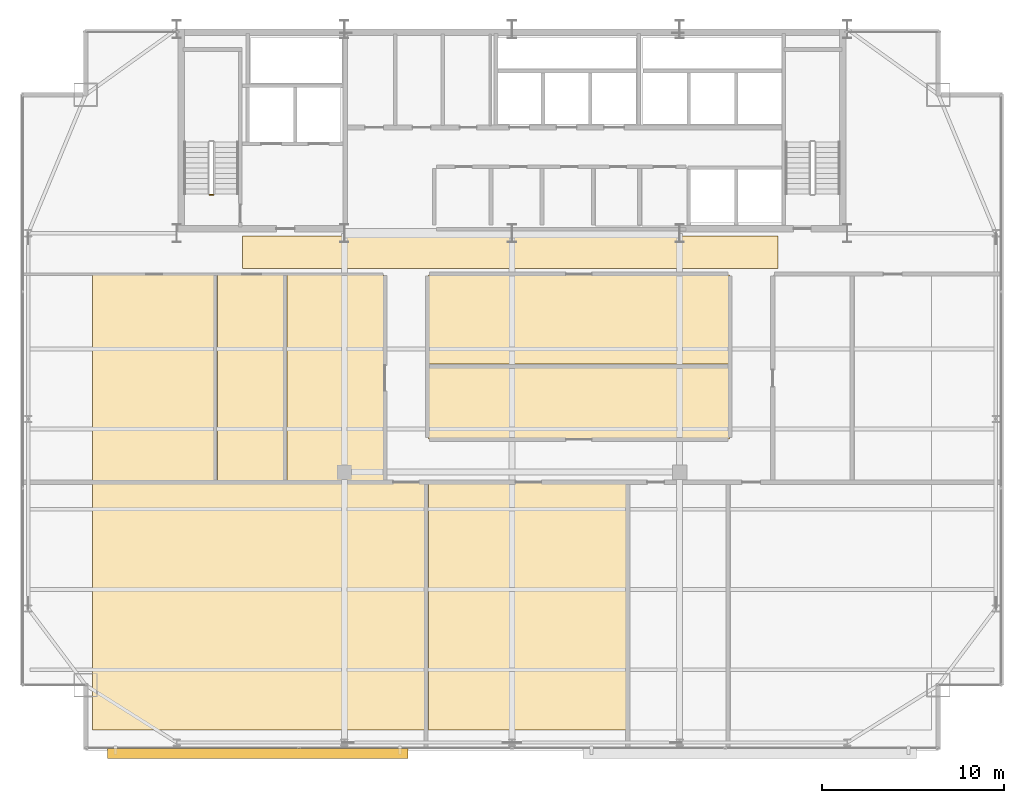
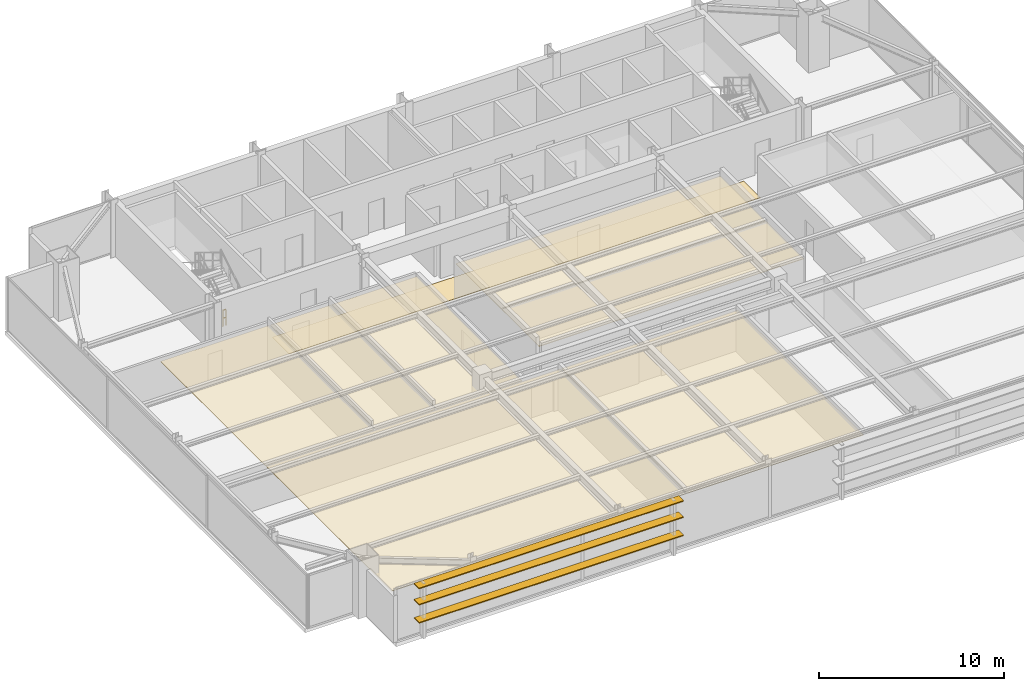
# One storey, part 28 of 29: 8 coverings, 3 shading devices, 1 railing.
"""IFC4 building model written with IfcOpenShell, lengths in metres."""

from ifc_helpers import new_model, si_unit, direction, frame, origin, origin_2d, place, context, subcontext, project, spatial, polyline, rectangle, outline, extrude, source, transform, mapped, material, layer, layer_set, type_object, type_shapes, element, save


model = new_model("IFC4")

# Units and contexts
model_context = context("Model", 3, precision=1e-05, world=origin(), true_north=direction((0.0, 1.0)))
body_context = subcontext(model_context, "Body", "Model", "MODEL_VIEW")
ifc_project = project(units=[si_unit("LENGTHUNIT", "METRE"), si_unit("AREAUNIT", "SQUARE_METRE"), si_unit("VOLUMEUNIT", "CUBIC_METRE"), si_unit("PLANEANGLEUNIT", "RADIAN"), si_unit("MASSUNIT", "GRAM", prefix="KILO")], contexts=[model_context])

# Site, building, storey
site_placement = place(None, origin())
site = spatial("IfcSite", under=ifc_project, at=site_placement, CompositionType="ELEMENT")
building_placement = place(site_placement, origin())
building = spatial("IfcBuilding", under=site, at=building_placement, Name="Varnel Quay Broadcast Tower", CompositionType="ELEMENT")
storey_placement = place(building_placement, frame((0.0, 0.0, 187.60009765625)))
storey = spatial("IfcBuildingStorey", under=building, at=storey_placement, Name="L46", CompositionType="ELEMENT", Elevation=187.60009765625)

# Coverings
ifc_material_1 = material(Name="Micro-Perforated Acoustic Ceiling Tile")
ifc_layer_1 = layer(ifc_material_1, 0.0400390625, Name="Micro-Perforated Acoustic Ceiling Tile")
ifc_layer_set_1 = layer_set([ifc_layer_1], Name="Micro-Perforated Acoustic Ceiling Tile")
covering_type_1 = type_object("IfcCoveringType", Name="Cov_AcousticCeiling", PredefinedType="CEILING", material=ifc_layer_set_1)
covering_1_placement = place(storey_placement, frame((0.0, 0.0, 2.579833984375)))
element("IfcCovering", 1, at=covering_1_placement, inside=storey, type_object=covering_type_1, Name="L46 Foley Sound Studio 1 Acoustic Ceiling", PredefinedType="CEILING", context=body_context, shape_type="SweptSolid", body=[
    extrude(outline(polyline([(10.985107421875, 8.324951171875), (29.3349609375, 8.324951171875), (29.3349609375, 21.89501953125), (10.985107421875, 21.89501953125), (10.985107421875, 8.324951171875)])), origin(), (0.0, 0.0, 1.0), 0.0400390625),
])
covering_2_placement = place(storey_placement, frame((0.0, 0.0, 2.579833984375)))
element("IfcCovering", 2, at=covering_2_placement, inside=storey, type_object=covering_type_1, Name="L46 Voice Booth 2 Acoustic Ceiling", PredefinedType="CEILING", context=body_context, shape_type="SweptSolid", body=[
    extrude(outline(polyline([(29.405029296875, 8.324951171875), (40.4150390625, 8.324951171875), (40.4150390625, 21.89501953125), (29.405029296875, 21.89501953125), (29.405029296875, 8.324951171875)])), origin(), (0.0, 0.0, 1.0), 0.0400390625),
])
covering_3_placement = place(storey_placement, frame((0.0, 0.0, 2.579833984375)))
element("IfcCovering", 3, at=covering_3_placement, inside=storey, type_object=covering_type_1, Name="L46 Pantry Niche 5 Acoustic Ceiling", PredefinedType="CEILING", context=body_context, shape_type="SweptSolid", body=[
    extrude(outline(polyline([(10.985107421875, 21.965087890625), (17.764892578125, 21.965087890625), (17.764892578125, 33.31494140625), (10.985107421875, 33.31494140625), (10.985107421875, 21.965087890625)])), origin(), (0.0, 0.0, 1.0), 0.0400390625),
])
covering_4_placement = place(storey_placement, frame((0.0, 0.0, 2.579833984375)))
element("IfcCovering", 4, at=covering_4_placement, inside=storey, type_object=covering_type_1, Name="L46 Broadcast Seminar Room 6 Acoustic Ceiling", PredefinedType="CEILING", context=body_context, shape_type="SweptSolid", body=[
    extrude(outline(polyline([(17.8349609375, 21.965087890625), (21.594970703125, 21.965087890625), (21.594970703125, 33.31494140625), (17.8349609375, 33.31494140625), (17.8349609375, 21.965087890625)])), origin(), (0.0, 0.0, 1.0), 0.0400390625),
])
covering_5_placement = place(storey_placement, frame((0.0, 0.0, 2.579833984375)))
element("IfcCovering", 5, at=covering_5_placement, inside=storey, type_object=covering_type_1, Name="L46 Podcast Recording Studio 7 Acoustic Ceiling", PredefinedType="CEILING", context=body_context, shape_type="SweptSolid", body=[
    extrude(outline(polyline([(21.6650390625, 21.965087890625), (26.985107421875, 21.965087890625), (26.985107421875, 33.31494140625), (21.6650390625, 33.31494140625), (21.6650390625, 21.965087890625)])), origin(), (0.0, 0.0, 1.0), 0.0400390625),
])
covering_6_placement = place(storey_placement, frame((0.0, 0.0, 2.579833984375)))
element("IfcCovering", 6, at=covering_6_placement, inside=storey, type_object=covering_type_1, Name="L46 Foley Sound Studio 8 Acoustic Ceiling", PredefinedType="CEILING", context=body_context, shape_type="SweptSolid", body=[
    extrude(outline(polyline([(29.405029296875, 24.31494140625), (45.925048828125, 24.31494140625), (45.925048828125, 28.344970703125), (29.405029296875, 28.344970703125), (29.405029296875, 24.31494140625)])), origin(), (0.0, 0.0, 1.0), 0.0400390625),
])
covering_7_placement = place(storey_placement, frame((0.0, 0.0, 2.579833984375)))
element("IfcCovering", 7, at=covering_7_placement, inside=storey, type_object=covering_type_1, Name="L46 Voice Booth 9 Acoustic Ceiling", PredefinedType="CEILING", context=body_context, shape_type="SweptSolid", body=[
    extrude(outline(polyline([(29.405029296875, 28.4150390625), (45.925048828125, 28.4150390625), (45.925048828125, 33.31494140625), (29.405029296875, 33.31494140625), (29.405029296875, 28.4150390625)])), origin(), (0.0, 0.0, 1.0), 0.0400390625),
])
ifc_material_2 = material(Name="Polished Terrazzo & Broadcast Raised Flooring")
ifc_layer_2 = layer(ifc_material_2, 0.0400390625, Name="Polished Terrazzo & Broadcast Raised Flooring")
ifc_layer_set_2 = layer_set([ifc_layer_2], Name="Polished Terrazzo & Broadcast Raised Flooring")
covering_type_2 = type_object("IfcCoveringType", Name="Cov_TerrazzoFloor", PredefinedType="FLOORING", material=ifc_layer_set_2)
covering_8_placement = place(storey_placement, origin())
element("IfcCovering", 8, at=covering_8_placement, inside=storey, type_object=covering_type_2, Name="L46 Corridor Terrazzo Flooring", PredefinedType="FLOORING", context=body_context, shape_type="SweptSolid", body=[
    extrude(outline(polyline([(19.199951171875, 33.64990234375), (48.60009765625, 33.64990234375), (48.60009765625, 35.449951171875), (19.199951171875, 35.449951171875), (19.199951171875, 33.64990234375)])), origin(), (0.0, 0.0, 1.0), 0.039794921875),
])

# Railing
ifc_material_3 = material(Name="Painted Steel Guard and Handrail CSA G40.21 350W", Category="steel")
railing_type = type_object("IfcRailingType", Name="Rail_StairGuard1100", PredefinedType="GUARDRAIL", material=ifc_material_3)
railing_placement = place(storey_placement, frame((17.60009765625, 37.699951171875, 0.0)))
element("IfcRailing", 9, at=railing_placement, inside=storey, type_object=railing_type, Name="L46 ST-01 stair guard 4", PredefinedType="GUARDRAIL", context=body_context, shape_type="SweptSolid", body=[
    extrude(rectangle(XDim=0.048095703125, YDim=0.048095703125, at=origin_2d()), frame((0.0, 0.0, 1.076171875), z_axis=(-1.0, 0.0, 0.0), x_axis=(0.0, -1.0, 0.0)), (0.0, 0.0, 1.0), 0.2001953125),
    extrude(rectangle(XDim=0.048095703125, YDim=0.048095703125, at=origin_2d()), frame((0.0, 0.0, 0.550048828125), z_axis=(-1.0, 0.0, 0.0), x_axis=(0.0, -1.0, 0.0)), (0.0, 0.0, 1.0), 0.2001953125),
    extrude(rectangle(XDim=0.0419921875, YDim=0.0419921875, at=origin_2d()), origin(), (0.0, 0.0, 1.0), 1.052001953125),
    extrude(rectangle(XDim=0.0419921875, YDim=0.0419921875, at=origin_2d()), frame((-0.2001953125, 0.0, 0.0)), (0.0, 0.0, 1.0), 1.052001953125),
])

# Shading devices
ifc_material_4 = material(Name="Bronze-Terracotta Extruded Ceramic Blade", Category="masonry")
ifc_layer_3 = layer(ifc_material_4, 0.06494140625, Name="Bronze-Terracotta Extruded Ceramic Blade")
ifc_layer_set_3 = layer_set([ifc_layer_3], Name="Bronze-Terracotta Extruded Ceramic Blade")
shading_device_type = type_object("IfcShadingDeviceType", Name="Shade_LouvreBlade550", PredefinedType="JALOUSIE", material=ifc_layer_set_3)
shared_shape = source(origin(), body_context, "Body", "SweptSolid", [
    extrude(rectangle(XDim=16.5048828125, YDim=0.550048828125, at=origin_2d()), origin(), (0.0, 0.0, 1.0), 0.06494140625),
])
type_shapes(shading_device_type, [shared_shape])
for number, where, z_axis, x_axis, name in (
    (10, (20.052978515625, 7.06005859375, 1.117431640625), (0.0, 0.0, 1.0), (1.0, 0.0, 0.0), "L46 Lobe 1 Horizontal Louvre Blade 1"),
    (11, (20.052978515625, 7.06005859375, 2.3173828125), (0.0, 0.0, 1.0), (1.0, 0.0, 0.0), "L46 Lobe 1 Horizontal Louvre Blade 2"),
    (12, (20.052978515625, 7.06005859375, 3.387451171875), (0.0, 0.0, 1.0), (1.0, 0.0, 0.0), "L46 Lobe 1 Horizontal Louvre Blade 3"),
):
    element("IfcShadingDevice", number, at=place(storey_placement, frame(where, z_axis=z_axis, x_axis=x_axis)), inside=storey, type_object=shading_device_type, Name=name, PredefinedType="JALOUSIE", context=body_context, shape_type="MappedRepresentation", body=[
        mapped(shared_shape, transform((0.0, 0.0, 0.0), x_axis=(1.0, 0.0, 0.0), y_axis=(0.0, 1.0, 0.0), z_axis=(0.0, 0.0, 1.0), scale=1.0)),
    ])

save(model, "model.ifc")
